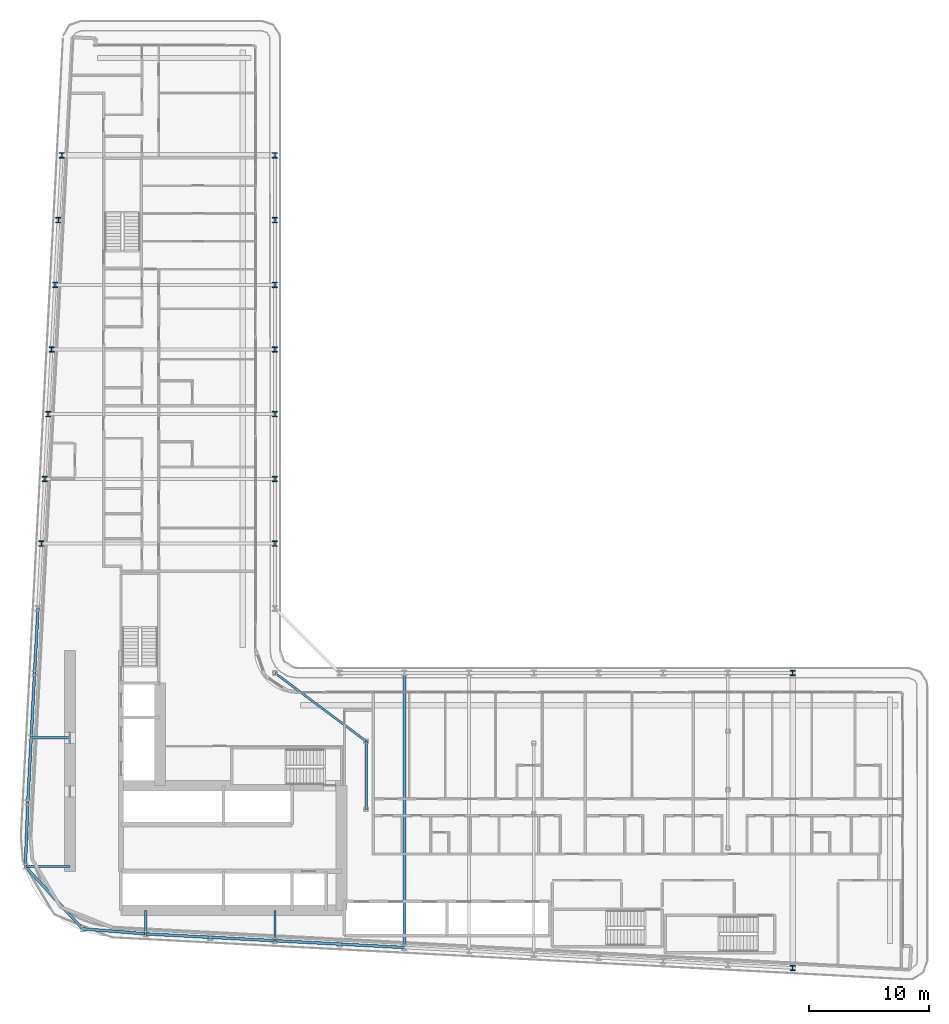
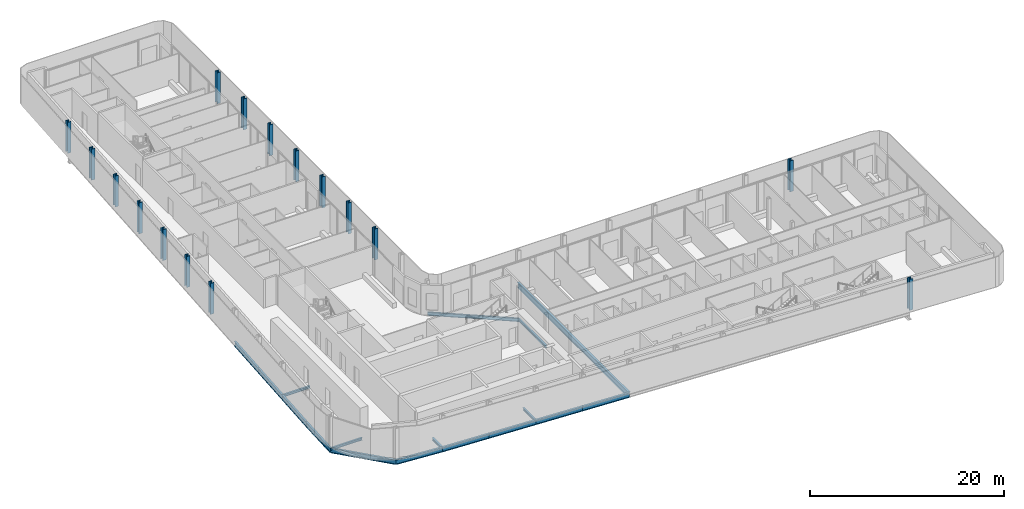
# One storey, part 3 of 28: 17 beams, 16 columns.
"""IFC4 building model written with IfcOpenShell, lengths in metres."""

from ifc_helpers import new_model, si_unit, direction, frame, origin, origin_2d, place, context, subcontext, project, spatial, i_section, extrude, material, material_profile, profile_set, type_object, element, save


model = new_model("IFC4")

# Units and contexts
model_context = context("Model", 3, precision=1e-05, world=origin(), true_north=direction((0.0, 1.0)))
body_context = subcontext(model_context, "Body", "Model", "MODEL_VIEW")
ifc_project = project(units=[si_unit("LENGTHUNIT", "METRE"), si_unit("AREAUNIT", "SQUARE_METRE"), si_unit("VOLUMEUNIT", "CUBIC_METRE"), si_unit("PLANEANGLEUNIT", "RADIAN"), si_unit("MASSUNIT", "GRAM", prefix="KILO")], contexts=[model_context])

# Site, building, storey
site_placement = place(None, origin())
site = spatial("IfcSite", under=ifc_project, at=site_placement, CompositionType="ELEMENT")
building_placement = place(site_placement, origin())
building = spatial("IfcBuilding", under=site, at=building_placement, Name="Kheshtan School and Residences Tower", CompositionType="ELEMENT")
storey_placement = place(building_placement, frame((0.0, 0.0, 140.89990234375)))
storey = spatial("IfcBuildingStorey", under=building, at=storey_placement, Name="L33", CompositionType="ELEMENT", Elevation=140.89990234375)

# Columns
ifc_material = material(Name="Steel ASTM A992 Grade 50", Category="steel")
ifc_material_profile_1 = material_profile(ifc_material, i_section(OverallWidth=0.41796875, OverallDepth=0.455078125, WebThickness=0.042236328125, FlangeThickness=0.067626953125, FilletRadius=0.013671875, at=origin_2d()), Name="W360x551")
ifc_profile_set_1 = profile_set([ifc_material_profile_1], Name="Steel ASTM A992 Grade 50")
column_type = type_object("IfcColumnType", Name="Column C2 W360x551 ASTM A992 Grade 50", PredefinedType="COLUMN", material=ifc_profile_set_1)
for number, where, z_axis, x_axis, name in (
    (1, (90.800048828125, 20.989990234375, 0.0), (0.0, 0.0, 1.0), (1.0, 0.0, 0.0), "Column C006"),
    (2, (90.800048828125, 45.60009765625, 0.0), (0.0, 0.0, 1.0), (1.0, 0.0, 0.0), "Column C068"),
    (3, (28.10595703125, 56.39990234375, 0.0), (0.0, 0.0, 1.0), (1.0, 0.0, 0.0), "Column C080"),
    (4, (47.60009765625, 56.39990234375, 0.0), (0.0, 0.0, 1.0), (1.0, 0.0, 0.0), "Column C081"),
    (5, (28.389892578125, 61.800048828125, 0.0), (0.0, 0.0, 1.0), (1.0, 0.0, 0.0), "Column C082"),
    (6, (47.60009765625, 61.800048828125, 0.0), (0.0, 0.0, 1.0), (1.0, 0.0, 0.0), "Column C083"),
    (7, (28.674072265625, 67.199951171875, 0.0), (0.0, 0.0, 1.0), (1.0, 0.0, 0.0), "Column C084"),
    (8, (47.60009765625, 67.199951171875, 0.0), (0.0, 0.0, 1.0), (1.0, 0.0, 0.0), "Column C085"),
    (9, (28.9580078125, 72.60009765625, 0.0), (0.0, 0.0, 1.0), (1.0, 0.0, 0.0), "Column C086"),
    (10, (47.60009765625, 72.60009765625, 0.0), (0.0, 0.0, 1.0), (1.0, 0.0, 0.0), "Column C087"),
    (11, (29.242919921875, 78.0, 0.0), (0.0, 0.0, 1.0), (1.0, 0.0, 0.0), "Column C088"),
    (12, (47.60009765625, 78.0, 0.0), (0.0, 0.0, 1.0), (1.0, 0.0, 0.0), "Column C089"),
    (13, (29.527099609375, 83.39990234375, 0.0), (0.0, 0.0, 1.0), (1.0, 0.0, 0.0), "Column C090"),
    (14, (47.60009765625, 83.39990234375, 0.0), (0.0, 0.0, 1.0), (1.0, 0.0, 0.0), "Column C091"),
    (15, (29.81103515625, 88.800048828125, 0.0), (0.0, 0.0, 1.0), (1.0, 0.0, 0.0), "Column C098"),
    (16, (47.60009765625, 88.800048828125, 0.0), (0.0, 0.0, 1.0), (1.0, 0.0, 0.0), "Column C099"),
):
    element("IfcColumn", number, at=place(storey_placement, frame(where, z_axis=z_axis, x_axis=x_axis)), inside=storey, type_object=column_type, Name=name, PredefinedType="COLUMN", context=body_context, shape_type="SweptSolid", body=[
        extrude(i_section(OverallWidth=0.41796875, OverallDepth=0.455078125, WebThickness=0.042236328125, FlangeThickness=0.067626953125, FilletRadius=0.013671875, at=origin_2d()), origin(), (0.0, 0.0, 1.0), 3.900146484375),
    ])

# Beams
ifc_material_profile_2 = material_profile(ifc_material, i_section(OverallWidth=0.202880859375, OverallDepth=0.302978515625, WebThickness=0.007568359375, FlangeThickness=0.01318359375, FilletRadius=0.009033203125, at=origin_2d()), Name="W310x60")
ifc_profile_set_2 = profile_set([ifc_material_profile_2], Name="Steel ASTM A992 Grade 50")
beam_type_1 = type_object("IfcBeamType", Name="Beam FB1 W310x60 ASTM A992 Grade 50", PredefinedType="BEAM", material=ifc_profile_set_2)
beam_1_placement = place(storey_placement, frame((47.60009765625, 23.263916015625, -0.301513671875), z_axis=(0.0, 1.0, 0.0), x_axis=(-1.0, 0.0, 0.0)))
element("IfcBeam", 17, at=beam_1_placement, inside=storey, type_object=beam_type_1, Name="Floor beam C020", PredefinedType="BEAM", context=body_context, shape_type="SweptSolid", body=[
    extrude(i_section(OverallWidth=0.202880859375, OverallDepth=0.302978515625, WebThickness=0.007568359375, FlangeThickness=0.01318359375, FilletRadius=0.009033203125, at=origin_2d()), origin(), (0.0, 0.0, 1.0), 2.5361328125),
])
beam_2_placement = place(storey_placement, frame((36.800048828125, 23.83203125, -0.301513671875), z_axis=(0.0, 1.0, 0.0), x_axis=(-1.0, 0.0, 0.0)))
element("IfcBeam", 18, at=beam_2_placement, inside=storey, type_object=beam_type_1, Name="Floor beam C022", PredefinedType="BEAM", context=body_context, shape_type="SweptSolid", body=[
    extrude(i_section(OverallWidth=0.202880859375, OverallDepth=0.302978515625, WebThickness=0.007568359375, FlangeThickness=0.01318359375, FilletRadius=0.009033203125, at=origin_2d()), origin(), (0.0, 0.0, 1.0), 1.968017578125),
])
beam_3_placement = place(storey_placement, frame((26.76904296875, 29.4541015625, -0.301513671875), z_axis=(1.0, 0.0, 0.0), x_axis=(0.0, 1.0, 0.0)))
element("IfcBeam", 19, at=beam_3_placement, inside=storey, type_object=beam_type_1, Name="Floor beam C038", PredefinedType="BEAM", context=body_context, shape_type="SweptSolid", body=[
    extrude(i_section(OverallWidth=0.202880859375, OverallDepth=0.302978515625, WebThickness=0.007568359375, FlangeThickness=0.01318359375, FilletRadius=0.009033203125, at=origin_2d()), origin(), (0.0, 0.0, 1.0), 3.73095703125),
])
beam_4_placement = place(storey_placement, frame((27.2529296875, 40.199951171875, -0.301513671875), z_axis=(1.0, 0.0, 0.0), x_axis=(0.0, 1.0, 0.0)))
element("IfcBeam", 20, at=beam_4_placement, inside=storey, type_object=beam_type_1, Name="Floor beam C056", PredefinedType="BEAM", context=body_context, shape_type="SweptSolid", body=[
    extrude(i_section(OverallWidth=0.202880859375, OverallDepth=0.302978515625, WebThickness=0.007568359375, FlangeThickness=0.01318359375, FilletRadius=0.009033203125, at=origin_2d()), origin(), (0.0, 0.0, 1.0), 3.2470703125),
])
beam_5_placement = place(storey_placement, frame((55.199951171875, 34.23193359375, -0.301513671875), z_axis=(0.0, 1.0, 0.0), x_axis=(-1.0, 0.0, 0.0)))
element("IfcBeam", 21, at=beam_5_placement, inside=storey, type_object=beam_type_1, Name="Floor beam IC", PredefinedType="BEAM", context=body_context, shape_type="SweptSolid", body=[
    extrude(i_section(OverallWidth=0.202880859375, OverallDepth=0.302978515625, WebThickness=0.007568359375, FlangeThickness=0.01318359375, FilletRadius=0.009033203125, at=origin_2d()), origin(), (0.0, 0.0, 1.0), 5.68408203125),
])
ifc_material_profile_3 = material_profile(ifc_material, i_section(OverallWidth=0.180908203125, OverallDepth=0.4169921875, WebThickness=0.010986328125, FlangeThickness=0.018310546875, FilletRadius=0.012451171875, at=origin_2d()), Name="W410x85")
ifc_profile_set_3 = profile_set([ifc_material_profile_3], Name="Steel ASTM A992 Grade 50")
beam_type_2 = type_object("IfcBeamType", Name="Beam FB3 W410x85 ASTM A992 Grade 50", PredefinedType="BEAM", material=ifc_profile_set_3)
beam_6_placement = place(storey_placement, frame((47.60009765625, 45.60009765625, -0.3583984375), z_axis=(0.800798828004, -0.598933416222, 0.0), x_axis=(0.598933416222, 0.800798828004, 0.0)))
element("IfcBeam", 22, at=beam_6_placement, inside=storey, type_object=beam_type_2, Name="Floor beam IC", PredefinedType="BEAM", context=body_context, shape_type="SweptSolid", body=[
    extrude(i_section(OverallWidth=0.180908203125, OverallDepth=0.4169921875, WebThickness=0.010986328125, FlangeThickness=0.018310546875, FilletRadius=0.012451171875, at=origin_2d()), origin(), (0.0, 0.0, 1.0), 9.490234375),
])
ifc_material_profile_4 = material_profile(ifc_material, i_section(OverallWidth=0.2529296875, OverallDepth=0.677978515625, WebThickness=0.01171875, FlangeThickness=0.016357421875, FilletRadius=0.0146484375, at=origin_2d()), Name="W690x125")
ifc_profile_set_4 = profile_set([ifc_material_profile_4], Name="Steel ASTM A992 Grade 50")
beam_type_3 = type_object("IfcBeamType", Name="Beam FB6 W690x125 ASTM A992 Grade 50", PredefinedType="BEAM", material=ifc_profile_set_4)
beam_7_placement = place(storey_placement, frame((58.39990234375, 22.695068359375, -0.489013671875), z_axis=(0.0, 1.0, 0.0), x_axis=(-1.0, 0.0, 0.0)))
element("IfcBeam", 23, at=beam_7_placement, inside=storey, type_object=beam_type_3, Name="Floor beam C018", PredefinedType="BEAM", context=body_context, shape_type="SweptSolid", body=[
    extrude(i_section(OverallWidth=0.2529296875, OverallDepth=0.677978515625, WebThickness=0.01171875, FlangeThickness=0.016357421875, FilletRadius=0.0146484375, at=origin_2d()), origin(), (0.0, 0.0, 1.0), 22.905029296875),
])
ifc_material_profile_5 = material_profile(ifc_material, i_section(OverallWidth=0.22802734375, OverallDepth=0.60302734375, WebThickness=0.010498046875, FlangeThickness=0.014892578125, FilletRadius=0.013427734375, at=origin_2d()), Name="W610x101")
ifc_profile_set_5 = profile_set([ifc_material_profile_5], Name="Steel ASTM A992 Grade 50")
beam_type_4 = type_object("IfcBeamType", Name="Beam SP2 W610x101 ASTM A992 Grade 50", PredefinedType="BEAM", material=ifc_profile_set_5)
for number, where, z_axis, x_axis, name in (
    (24, (58.39990234375, 22.695068359375, -0.451416015625), (-0.998610961136, 0.052689166816, 0.0), (-0.052689166816, -0.998610961136, 0.0), "Spandrel beam C018-C019"),
    (25, (53.0, 22.97998046875, -0.451416015625), (-0.998620447272, 0.05250906864, 0.0), (-0.05250906864, -0.998620447272, 0.0), "Spandrel beam C019-C020"),
):
    element("IfcBeam", number, at=place(storey_placement, frame(where, z_axis=z_axis, x_axis=x_axis)), inside=storey, type_object=beam_type_4, Name=name, PredefinedType="BEAM", context=body_context, shape_type="SweptSolid", body=[
        extrude(i_section(OverallWidth=0.22802734375, OverallDepth=0.60302734375, WebThickness=0.010498046875, FlangeThickness=0.014892578125, FilletRadius=0.013427734375, at=origin_2d()), origin(), (0.0, 0.0, 1.0), 5.407470703125),
    ])
beam_8_placement = place(storey_placement, frame((47.60009765625, 23.263916015625, -0.451416015625), z_axis=(-0.998618203458, 0.052551724256, 0.0), x_axis=(-0.052551724256, -0.998618203458, 0.0)))
element("IfcBeam", 26, at=beam_8_placement, inside=storey, type_object=beam_type_4, Name="Spandrel beam C020-C021", PredefinedType="BEAM", context=body_context, shape_type="SweptSolid", body=[
    extrude(i_section(OverallWidth=0.22802734375, OverallDepth=0.60302734375, WebThickness=0.010498046875, FlangeThickness=0.014892578125, FilletRadius=0.013427734375, at=origin_2d()), origin(), (0.0, 0.0, 1.0), 5.40771484375),
])
beam_9_placement = place(storey_placement, frame((42.199951171875, 23.548095703125, -0.451416015625), z_axis=(-0.998620447272, 0.05250906864, 0.0), x_axis=(-0.05250906864, -0.998620447272, 0.0)))
element("IfcBeam", 27, at=beam_9_placement, inside=storey, type_object=beam_type_4, Name="Spandrel beam C021-C022", PredefinedType="BEAM", context=body_context, shape_type="SweptSolid", body=[
    extrude(i_section(OverallWidth=0.22802734375, OverallDepth=0.60302734375, WebThickness=0.010498046875, FlangeThickness=0.014892578125, FilletRadius=0.013427734375, at=origin_2d()), origin(), (0.0, 0.0, 1.0), 5.407470703125),
])
beam_10_placement = place(storey_placement, frame((36.800048828125, 23.83203125, -0.451416015625), z_axis=(-0.996748565693, 0.08057479003, 0.0), x_axis=(-0.08057479003, -0.996748565693, 0.0)))
element("IfcBeam", 28, at=beam_10_placement, inside=storey, type_object=beam_type_4, Name="Spandrel beam C022-C025", PredefinedType="BEAM", context=body_context, shape_type="SweptSolid", body=[
    extrude(i_section(OverallWidth=0.22802734375, OverallDepth=0.60302734375, WebThickness=0.010498046875, FlangeThickness=0.014892578125, FilletRadius=0.013427734375, at=origin_2d()), origin(), (0.0, 0.0, 1.0), 5.275146484375),
])
beam_11_placement = place(storey_placement, frame((31.5419921875, 24.257080078125, -0.451416015625), z_axis=(-0.676418406149, 0.736517576045, 0.0), x_axis=(-0.736517576045, -0.676418406149, 0.0)))
element("IfcBeam", 29, at=beam_11_placement, inside=storey, type_object=beam_type_4, Name="Spandrel beam C025-C038", PredefinedType="BEAM", context=body_context, shape_type="SweptSolid", body=[
    extrude(i_section(OverallWidth=0.22802734375, OverallDepth=0.60302734375, WebThickness=0.010498046875, FlangeThickness=0.014892578125, FilletRadius=0.013427734375, at=origin_2d()), origin(), (0.0, 0.0, 1.0), 7.05615234375),
])
beam_12_placement = place(storey_placement, frame((26.76904296875, 29.4541015625, -0.451416015625), z_axis=(0.037376249491, 0.999301263871, 0.0), x_axis=(-0.999301263871, 0.037376249491, 0.0)))
element("IfcBeam", 30, at=beam_12_placement, inside=storey, type_object=beam_type_4, Name="Spandrel beam C038-C052", PredefinedType="BEAM", context=body_context, shape_type="SweptSolid", body=[
    extrude(i_section(OverallWidth=0.22802734375, OverallDepth=0.60302734375, WebThickness=0.010498046875, FlangeThickness=0.014892578125, FilletRadius=0.013427734375, at=origin_2d()), origin(), (0.0, 0.0, 1.0), 5.349609375),
])
beam_13_placement = place(storey_placement, frame((26.968994140625, 34.800048828125, -0.451416015625), z_axis=(0.05250906864, 0.998620447272, 0.0), x_axis=(-0.998620447272, 0.05250906864, 0.0)))
element("IfcBeam", 31, at=beam_13_placement, inside=storey, type_object=beam_type_4, Name="Spandrel beam C052-C056", PredefinedType="BEAM", context=body_context, shape_type="SweptSolid", body=[
    extrude(i_section(OverallWidth=0.22802734375, OverallDepth=0.60302734375, WebThickness=0.010498046875, FlangeThickness=0.014892578125, FilletRadius=0.013427734375, at=origin_2d()), origin(), (0.0, 0.0, 1.0), 5.407470703125),
])
beam_14_placement = place(storey_placement, frame((27.2529296875, 40.199951171875, -0.451416015625), z_axis=(0.052551724256, 0.998618203458, 0.0), x_axis=(-0.998618203458, 0.052551724256, 0.0)))
element("IfcBeam", 32, at=beam_14_placement, inside=storey, type_object=beam_type_4, Name="Spandrel beam C056-C059", PredefinedType="BEAM", context=body_context, shape_type="SweptSolid", body=[
    extrude(i_section(OverallWidth=0.22802734375, OverallDepth=0.60302734375, WebThickness=0.010498046875, FlangeThickness=0.014892578125, FilletRadius=0.013427734375, at=origin_2d()), origin(), (0.0, 0.0, 1.0), 5.40771484375),
])
beam_15_placement = place(storey_placement, frame((27.537109375, 45.60009765625, -0.451416015625), z_axis=(0.052689166816, 0.998610961136, 0.0), x_axis=(-0.998610961136, 0.052689166816, 0.0)))
element("IfcBeam", 33, at=beam_15_placement, inside=storey, type_object=beam_type_4, Name="Spandrel beam C059-C078", PredefinedType="BEAM", context=body_context, shape_type="SweptSolid", body=[
    extrude(i_section(OverallWidth=0.22802734375, OverallDepth=0.60302734375, WebThickness=0.010498046875, FlangeThickness=0.014892578125, FilletRadius=0.013427734375, at=origin_2d()), origin(), (0.0, 0.0, 1.0), 5.407470703125),
])

save(model, "model.ifc")
